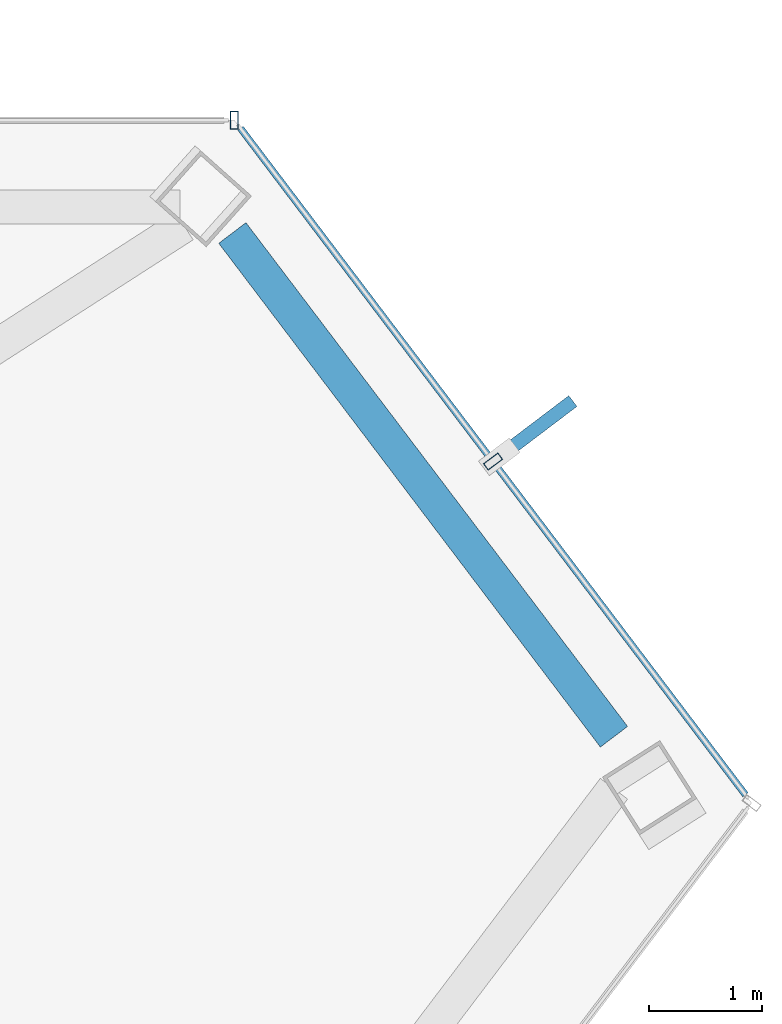
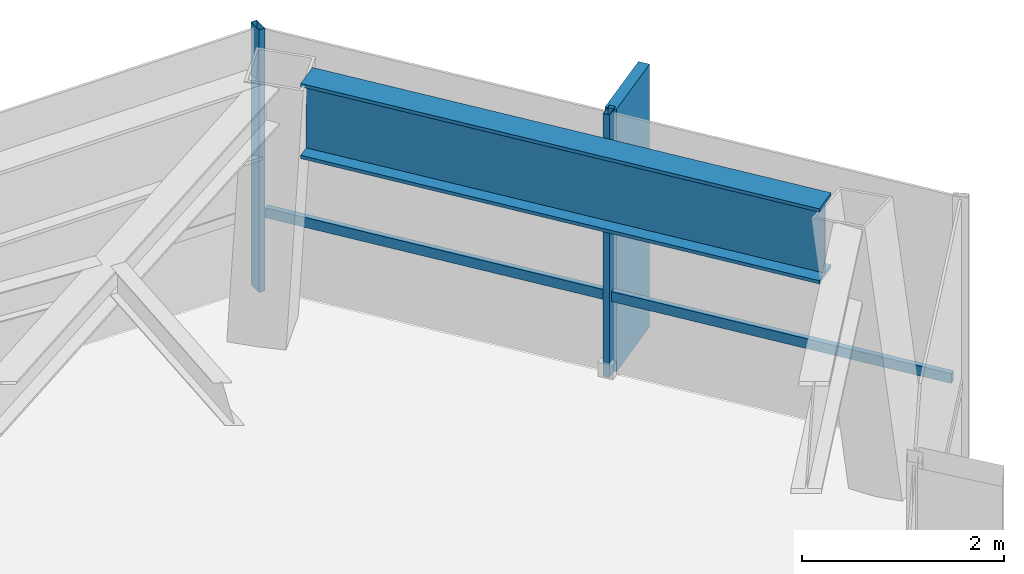
# One storey, part 20 of 25: 4 members, 1 beam, 2 elements without a shape of their own.
"""IFC4 building model written with IfcOpenShell, lengths in metres."""

import ifcopenshell
import ifcopenshell.guid

model = None  # the IFC model being written
_history = None  # IfcOwnerHistory: only IFC2X3 demands one
_inside = {}  # id of a spatial element -> (the spatial element, [elements in it])
_under = {}  # id of a project, library or spatial element -> (it, [spatial elements below it])
_declared = {}  # id of a project -> (the project, [libraries it declares])
_typed = {}  # id of a type object -> (the type object, [elements of that type])
_made_of = {}  # id of a material, layer set ... -> (it, [elements and type objects made of it])


def new_model(schema):
    """Start an empty IFC model of exactly this schema.

    Asked for "IFC4X3", IfcOpenShell would pick the latest addendum, in which some entities
    have other attributes; the version numbers below select the first issue.
    IFC2X3 requires an IfcOwnerHistory on every rooted entity: one is made here for all.
    """
    global model, _history
    if schema == "IFC4X3":
        model = ifcopenshell.file(schema_version=(4, 3, 0, 0))
    else:
        model = ifcopenshell.file(schema=schema)
    _inside.clear()
    _under.clear()
    _declared.clear()
    _typed.clear()
    _made_of.clear()
    _history = None
    if model.schema == "IFC2X3":
        org = make("IfcOrganization", Name="unknown")
        user = make(
            "IfcPersonAndOrganization",
            ThePerson=make("IfcPerson", FamilyName="unknown"),
            TheOrganization=org,
        )
        app = make(
            "IfcApplication",
            ApplicationDeveloper=org,
            Version="unknown",
            ApplicationFullName="unknown",
            ApplicationIdentifier="unknown",
        )
        _history = make(
            "IfcOwnerHistory",
            OwningUser=user,
            OwningApplication=app,
            ChangeAction="ADDED",
            CreationDate=0,
        )
    return model


def make(cls, **values):
    """One entity of the class cls with the attributes given. An attribute that is None is left unset."""
    return model.create_entity(
        cls, **{name: value for name, value in values.items() if value is not None}
    )


def rooted(cls, **values):
    """An entity with a GlobalId (a new one), such as an element, a storey or a relation."""
    return make(cls, GlobalId=ifcopenshell.guid.new(), OwnerHistory=_history, **values)


def si_unit(unit_type, name, prefix=None):
    """IfcSIUnit, for example si_unit("LENGTHUNIT", "METRE", prefix="MILLI")."""
    return make("IfcSIUnit", UnitType=unit_type, Prefix=prefix, Name=name)


def assignment(units):
    """IfcUnitAssignment: the units of a project."""
    return None if units is None else make("IfcUnitAssignment", Units=units)


def point(xyz):
    """IfcCartesianPoint."""
    return None if xyz is None else make("IfcCartesianPoint", Coordinates=xyz)


def direction(xyz):
    """IfcDirection."""
    return None if xyz is None else make("IfcDirection", DirectionRatios=xyz)


def frame(location, z_axis=None, x_axis=None):
    """IfcAxis2Placement3D, a coordinate frame: its origin and axes. An axis left out is left unset."""
    return make(
        "IfcAxis2Placement3D",
        Location=point(location),
        Axis=direction(z_axis),
        RefDirection=direction(x_axis),
    )


def frame_2d(location, x_axis=None):
    """IfcAxis2Placement2D, a coordinate frame in the plane: its origin and x axis."""
    return make(
        "IfcAxis2Placement2D", Location=point(location), RefDirection=direction(x_axis)
    )


def origin():
    """The frame at (0, 0, 0) with its axes left unset."""
    return frame((0.0, 0.0, 0.0))


def origin_2d():
    """The frame at (0, 0) in the plane with its x axis left unset."""
    return frame_2d((0.0, 0.0))


def place(relative_to, where):
    """IfcLocalPlacement: puts the frame where relative to a parent placement (None: the world)."""
    return make(
        "IfcLocalPlacement", PlacementRelTo=relative_to, RelativePlacement=where
    )


def context(
    kind, dimensions, precision=None, world=None, true_north=None, identifier=None
):
    """IfcGeometricRepresentationContext, for example the 3D "Model" context."""
    return make(
        "IfcGeometricRepresentationContext",
        ContextIdentifier=identifier,
        ContextType=kind,
        CoordinateSpaceDimension=dimensions,
        Precision=precision,
        WorldCoordinateSystem=world,
        TrueNorth=true_north,
    )


def subcontext(parent, identifier, kind, view, scale=None):
    """IfcGeometricRepresentationSubContext, for example "Body" below "Model"."""
    return make(
        "IfcGeometricRepresentationSubContext",
        ContextIdentifier=identifier,
        ContextType=kind,
        ParentContext=parent,
        TargetScale=scale,
        TargetView=view,
    )


def project(units=None, contexts=None):
    """IfcProject with its units and contexts."""
    return rooted(
        "IfcProject",
        Name="project",
        RepresentationContexts=contexts,
        UnitsInContext=assignment(units),
    )


def spatial(cls, under=None, at=None, **own):
    """A site, building, storey or space (cls), placed at a placement, below another one or the project."""
    s = rooted(cls, ObjectPlacement=at, **own)
    if under is not None:
        _under.setdefault(under.id(), (under, []))[1].append(s)
    return s


def profile(cls, at=None, kind="AREA", **sizes):
    """A parametric profile (cls). Its sizes go by their IFC names, for example OverallWidth=200.0."""
    return make(cls, ProfileType=kind, Position=at, **sizes)


def rectangle(**sizes):
    """IfcRectangleProfileDef."""
    return profile("IfcRectangleProfileDef", **sizes)


def hollow_rectangle(**sizes):
    """IfcRectangleHollowProfileDef."""
    return profile("IfcRectangleHollowProfileDef", **sizes)


def i_section(**sizes):
    """IfcIShapeProfileDef."""
    return profile("IfcIShapeProfileDef", **sizes)


def extrude(swept, where, along, depth):
    """IfcExtrudedAreaSolid: the profile swept, set in the frame where, extruded along a direction by depth."""
    return make(
        "IfcExtrudedAreaSolid",
        SweptArea=swept,
        Position=where,
        ExtrudedDirection=direction(along),
        Depth=depth,
    )


def shape(context_of_items, identifier, shape_type, items):
    """IfcShapeRepresentation: the items that make up one representation, for example the "Body"."""
    return make(
        "IfcShapeRepresentation",
        ContextOfItems=context_of_items,
        RepresentationIdentifier=identifier,
        RepresentationType=shape_type,
        Items=items,
    )


def material(Name=None, Category=None):
    """IfcMaterial."""
    return make("IfcMaterial", Name=Name, Category=Category)


def layer(
    of_material, thickness, ventilated=None, Name=None, Category=None, Priority=None
):
    """IfcMaterialLayer: one layer of a wall or slab, of a material (None: an air gap)."""
    return make(
        "IfcMaterialLayer",
        Material=of_material,
        LayerThickness=thickness,
        IsVentilated=ventilated,
        Name=Name,
        Category=Category,
        Priority=Priority,
    )


def layer_set(layers, Name=None):
    """IfcMaterialLayerSet."""
    return make("IfcMaterialLayerSet", MaterialLayers=layers, LayerSetName=Name)


def material_profile(
    of_material, cross_section, Name=None, Category=None, Priority=None
):
    """IfcMaterialProfile: a cross section and its material."""
    return make(
        "IfcMaterialProfile",
        Name=Name,
        Material=of_material,
        Profile=cross_section,
        Priority=Priority,
        Category=Category,
    )


def profile_set(profiles, Name=None, composite=None):
    """IfcMaterialProfileSet."""
    return make(
        "IfcMaterialProfileSet",
        Name=Name,
        MaterialProfiles=profiles,
        CompositeProfile=composite,
    )


def made_of(thing, what):
    """Note that an element or type object is made of a material, layer set ...; save() writes the relation."""
    if what is not None:
        _made_of.setdefault(what.id(), (what, []))[1].append(thing)
    return thing


def type_object(cls, material=None, **own):
    """A type object (cls), such as IfcWallType, which elements share."""
    return made_of(rooted(cls, **own), material)


def element(
    cls,
    number,
    at=None,
    inside=None,
    cuts=None,
    type_object=None,
    material=None,
    context=None,
    identifier="Body",
    shape_type=None,
    held_by="IfcProductDefinitionShape",
    body=None,
    shapes=None,
    **own,
):
    """One element of the class cls, such as IfcWall. Its Tag is "e" and its number.

    at: its placement. inside: the storey or other place that contains it. cuts: it is an
    opening in that element (IfcRelVoidsElement). A single representation is given by context,
    identifier, shape_type and body (its items); several are given by shapes. held_by: the class
    of the entity that holds the representations. save() writes the other relations.
    """
    e = rooted(cls, Tag="e%d" % number, ObjectPlacement=at, **own)
    if body is not None:
        shapes = [shape(context, identifier, shape_type, body)]
    if shapes is not None:
        e.Representation = make(held_by, Representations=shapes)
    if inside is not None:
        _inside.setdefault(inside.id(), (inside, []))[1].append(e)
    if cuts is not None:
        rooted(
            "IfcRelVoidsElement", RelatingBuildingElement=cuts, RelatedOpeningElement=e
        )
    if type_object is not None:
        _typed.setdefault(type_object.id(), (type_object, []))[1].append(e)
    return made_of(e, material)


def aggregate(whole, parts):
    """IfcRelAggregates: a whole, such as a stair, and the parts it consists of."""
    return rooted("IfcRelAggregates", RelatingObject=whole, RelatedObjects=parts)


def save(model, path):
    """Write the relations noted so far, then the file.

    IfcRelAggregates (storeys below a building ...), IfcRelContainedInSpatialStructure (elements
    in a storey), IfcRelDefinesByType, IfcRelAssociatesMaterial and IfcRelDeclares: one each for
    every whole, place, type object, material and project.
    """
    for whole, parts in _under.values():
        aggregate(whole, parts)
    for where, things in _inside.values():
        rooted(
            "IfcRelContainedInSpatialStructure",
            RelatedElements=things,
            RelatingStructure=where,
        )
    for kind, things in _typed.values():
        rooted("IfcRelDefinesByType", RelatedObjects=things, RelatingType=kind)
    for what, things in _made_of.values():
        rooted("IfcRelAssociatesMaterial", RelatedObjects=things, RelatingMaterial=what)
    for by, libraries in _declared.values():
        rooted("IfcRelDeclares", RelatingContext=by, RelatedDefinitions=libraries)
    model.write(path)


model = new_model("IFC4")

# Units and contexts
model_context = context("Model", 3, precision=1e-05, world=origin(), true_north=direction((0.0, 1.0)))
body_context = subcontext(model_context, "Body", "Model", "MODEL_VIEW")
ifc_project = project(units=[si_unit("LENGTHUNIT", "METRE"), si_unit("AREAUNIT", "SQUARE_METRE"), si_unit("VOLUMEUNIT", "CUBIC_METRE"), si_unit("PLANEANGLEUNIT", "RADIAN"), si_unit("MASSUNIT", "GRAM", prefix="KILO")], contexts=[model_context])

# Site, building, storey
site_placement = place(None, origin())
site = spatial("IfcSite", under=ifc_project, at=site_placement, CompositionType="ELEMENT")
building_placement = place(site_placement, origin())
building = spatial("IfcBuilding", under=site, at=building_placement, Name="Zarrinselat Tower", CompositionType="ELEMENT")
storey_placement = place(building_placement, frame((0.0, 0.0, 246.159912109375)))
storey = spatial("IfcBuildingStorey", under=building, at=storey_placement, Name="L62", CompositionType="ELEMENT", Elevation=246.159912109375)

# Beam
ifc_material_1 = material(Name="Steel S460M", Category="steel")
ifc_material_profile_1 = material_profile(ifc_material_1, i_section(OverallWidth=0.302001953125, OverallDepth=0.909912109375, WebThickness=0.02099609375, FlangeThickness=0.0400390625, at=origin_2d()), Name="HEM 900")
ifc_profile_set_1 = profile_set([ifc_material_profile_1], Name="Steel S460M")
beam_type = type_object("IfcBeamType", Name="BM-HEM900", PredefinedType="BEAM", material=ifc_profile_set_1)
beam_placement = place(storey_placement, frame((57.050537109375, 47.06494140625, 2.72509765625), z_axis=(0.603841689329, -0.797104268103, 0.0), x_axis=(0.797104268103, 0.603841689329, 0.0)))
element("IfcBeam", 1, at=beam_placement, inside=storey, type_object=beam_type, Name="L62 Perimeter Spandrel Girder SP15", PredefinedType="BEAM", context=body_context, shape_type="SweptSolid", body=[
    extrude(i_section(OverallWidth=0.302001953125, OverallDepth=0.909912109375, WebThickness=0.02099609375, FlangeThickness=0.0400390625, at=origin_2d()), origin(), (0.0, 0.0, 1.0), 5.582275390625),
])

# Curtain wall, member
ifc_material_2 = material(Name="Extruded Aluminium Alloy EN AW-6063 T6", Category="aluminium")
ifc_layer = layer(ifc_material_2, 0.169921875)
ifc_layer_set = layer_set([ifc_layer], Name="Extruded Aluminium Alloy EN AW-6063 T6")
curtain_wall_type = type_object("IfcCurtainWallType", Name="CWS-RES", PredefinedType="NOTDEFINED", material=ifc_layer_set)
curtain_wall_1_placement = place(storey_placement, origin())
curtain_wall_1 = element("IfcCurtainWall", 2, at=curtain_wall_1_placement, inside=storey, type_object=curtain_wall_type, Name="L62 Unitised Curtain Wall CW-L62-E01", PredefinedType="NOTDEFINED")
ifc_material_3 = material(Name="Extruded Aluminium Alloy EN AW-6063 T6", Category="aluminium")
ifc_material_profile_2 = material_profile(ifc_material_3, hollow_rectangle(XDim=0.070068359375, YDim=0.159912109375, WallThickness=0.00390625, at=origin_2d()), Name="RHS 160x70x4")
ifc_profile_set_2 = profile_set([ifc_material_profile_2], Name="Extruded Aluminium Alloy EN AW-6063 T6")
member_type_1 = type_object("IfcMemberType", Name="MEM-CW-MUL2", PredefinedType="MULLION", material=ifc_profile_set_2)
member_1_placement = place(storey_placement, frame((57.068603515625, 48.06103515625, 0.0), z_axis=(0.0, 0.0, 1.0), x_axis=(-1.0, 0.0, 0.0)))
member_1 = element("IfcMember", 3, at=member_1_placement, type_object=member_type_1, Name="CW-L62-E01 Mullion 0", PredefinedType="MULLION", context=body_context, shape_type="SweptSolid", body=[
    extrude(hollow_rectangle(XDim=0.070068359375, YDim=0.159912109375, WallThickness=0.00390625, at=origin_2d()), origin(), (0.0, 0.0, 1.0), 3.18017578125),
])
aggregate(curtain_wall_1, [member_1])

# Curtain wall, members
curtain_wall_2_placement = place(storey_placement, origin())
curtain_wall_2 = element("IfcCurtainWall", 4, at=curtain_wall_2_placement, inside=storey, type_object=curtain_wall_type, Name="L62 Unitised Curtain Wall CW-L62-E06", PredefinedType="NOTDEFINED")
member_2_placement = place(storey_placement, frame((59.352783203125, 45.0458984375, 0.0), z_axis=(0.0, 0.0, 1.0), x_axis=(-0.603865322642, 0.797086364274, 0.0)))
member_2 = element("IfcMember", 5, at=member_2_placement, type_object=member_type_1, Name="CW-L62-E06 Mullion 1", PredefinedType="MULLION", context=body_context, shape_type="SweptSolid", body=[
    extrude(hollow_rectangle(XDim=0.070068359375, YDim=0.159912109375, WallThickness=0.00390625, at=origin_2d()), origin(), (0.0, 0.0, 1.0), 3.18017578125),
])
ifc_material_4 = material(Name="Extruded Aluminium Alloy EN AW-6063 T6", Category="aluminium")
ifc_material_profile_3 = material_profile(ifc_material_4, hollow_rectangle(XDim=0.06005859375, YDim=0.1201171875, WallThickness=0.00390625, at=origin_2d()), Name="RHS 120x60x4")
ifc_profile_set_3 = profile_set([ifc_material_profile_3], Name="Extruded Aluminium Alloy EN AW-6063 T6")
member_type_2 = type_object("IfcMemberType", Name="MEM-CW-TRN2", PredefinedType="USERDEFINED", material=ifc_profile_set_3)
member_3_placement = place(storey_placement, frame((61.582763671875, 42.1025390625, 0.9501953125), z_axis=(-0.603869780229, 0.797082987227, 0.0), x_axis=(-0.797082987227, -0.603869780229, 0.0)))
member_3 = element("IfcMember", 6, at=member_3_placement, type_object=member_type_2, Name="CW-L62-E06 Transom 1", ObjectType="TRANSOM", PredefinedType="USERDEFINED", context=body_context, shape_type="SweptSolid", body=[
    extrude(hollow_rectangle(XDim=0.06005859375, YDim=0.1201171875, WallThickness=0.00390625, at=origin_2d()), origin(), (0.0, 0.0, 1.0), 7.3857421875),
])
ifc_material_5 = material(Name="Honed Cream Travertine Stone", Category="masonry")
ifc_material_profile_4 = material_profile(ifc_material_5, rectangle(XDim=0.1201171875, YDim=0.85009765625, at=origin_2d()), Name="FIN 850x120")
ifc_profile_set_4 = profile_set([ifc_material_profile_4], Name="Honed Cream Travertine Stone")
member_type_3 = type_object("IfcMemberType", Name="MEM-STONE-FIN", PredefinedType="USERDEFINED", material=ifc_profile_set_4)
member_4_placement = place(storey_placement, frame((59.719482421875, 45.32373046875, 0.0), z_axis=(0.0, 0.0, 1.0), x_axis=(0.603865322642, -0.797086364274, 0.0)))
member_4 = element("IfcMember", 7, at=member_4_placement, type_object=member_type_3, Name="L62 Stone Shading Fin CW-L62-E06-01", ObjectType="FIN", PredefinedType="USERDEFINED", context=body_context, shape_type="SweptSolid", body=[
    extrude(rectangle(XDim=0.1201171875, YDim=0.85009765625, at=origin_2d()), origin(), (0.0, 0.0, 1.0), 3.18017578125),
])
aggregate(curtain_wall_2, [member_2, member_4, member_3])

save(model, "model.ifc")
